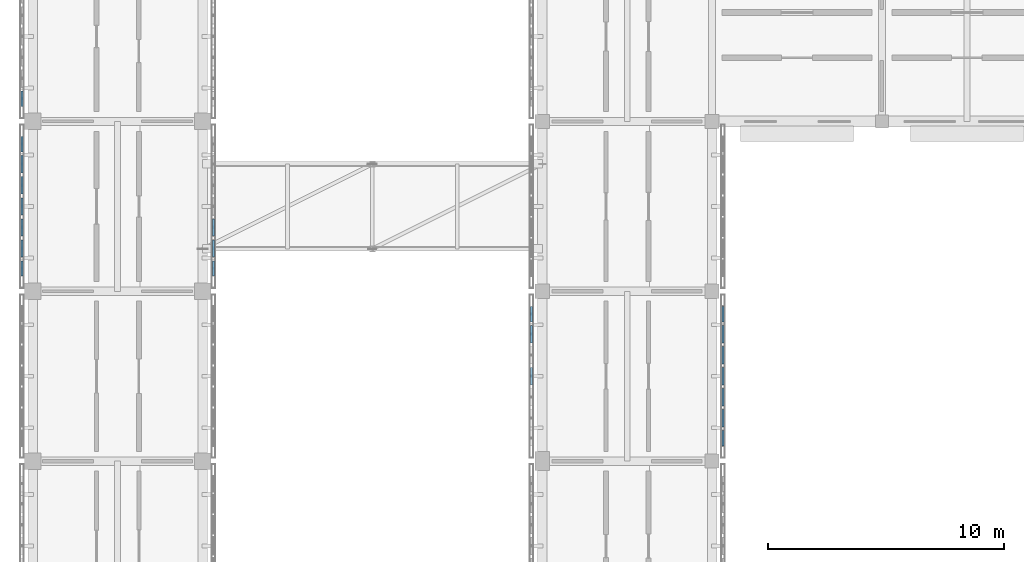
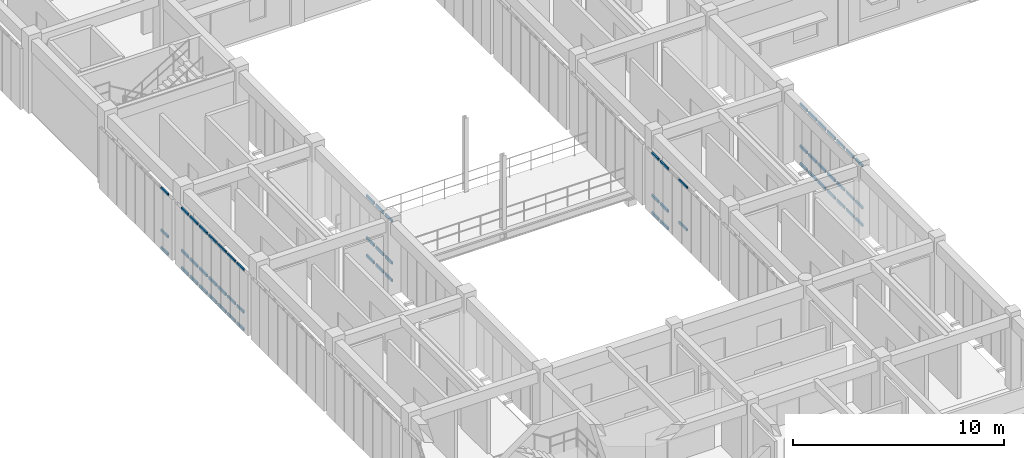
# One storey, part 79 of 171: 62 members, 5 elements without a shape of their own.
"""IFC4 building model written with IfcOpenShell, lengths in metres."""

from ifc_helpers import new_model, si_unit, direction, frame, origin, origin_2d, place, context, subcontext, project, spatial, hollow_rectangle, extrude, material, material_profile, profile_set, type_object, element, aggregate, save


model = new_model("IFC4")

# Units and contexts
model_context = context("Model", 3, precision=1e-05, world=origin(), true_north=direction((0.0, 1.0)))
body_context = subcontext(model_context, "Body", "Model", "MODEL_VIEW")
ifc_project = project(units=[si_unit("LENGTHUNIT", "METRE"), si_unit("AREAUNIT", "SQUARE_METRE"), si_unit("VOLUMEUNIT", "CUBIC_METRE"), si_unit("PLANEANGLEUNIT", "RADIAN"), si_unit("MASSUNIT", "GRAM", prefix="KILO")], contexts=[model_context])

# Site, building, storey
site_placement = place(None, origin())
site = spatial("IfcSite", under=ifc_project, at=site_placement, CompositionType="ELEMENT")
building_placement = place(site_placement, origin())
building = spatial("IfcBuilding", under=site, at=building_placement, Name="Aldebral Square Health Centre", CompositionType="ELEMENT")
storey_placement = place(building_placement, frame((0.0, 0.0, 4.5)))
storey = spatial("IfcBuildingStorey", under=building, at=storey_placement, Name="L01", CompositionType="ELEMENT", Elevation=4.5)

# Curtain wall, members
ifc_material_1 = material(Name="Aluminium and low-E solar glass", Category="aluminium")
curtain_wall_type = type_object("IfcCurtainWallType", Name="CW-FIN-SYS", PredefinedType="USERDEFINED", material=ifc_material_1)
curtain_wall_1_placement = place(storey_placement, origin())
curtain_wall_1 = element("IfcCurtainWall", 1, at=curtain_wall_1_placement, inside=storey, type_object=curtain_wall_type, Name="L01 V4 finned curtain wall L01-V4-00-11-W", ObjectType="SOLAR_CURTAIN_WALL", PredefinedType="USERDEFINED")
ifc_material_2 = material(Name="Anodised aluminium transom", Category="aluminium")
ifc_material_profile = material_profile(ifc_material_2, hollow_rectangle(XDim=0.074951171875, YDim=0.14990234375, WallThickness=0.00390625, at=origin_2d()), Name="CWT 75x150x4")
ifc_profile_set = profile_set([ifc_material_profile], Name="Anodised aluminium transom")
member_type = type_object("IfcMemberType", Name="CWT-STD", PredefinedType="USERDEFINED", material=ifc_profile_set)
member_1_placement = place(storey_placement, frame((-0.4599609375, 85.760009765625, 0.03759765625), z_axis=(0.0, -1.0, 0.0), x_axis=(1.0, 0.0, 0.0)))
member_1 = element("IfcMember", 2, at=member_1_placement, type_object=member_type, Name="CW1 transom 1.1", ObjectType="TRANSOM", PredefinedType="USERDEFINED", context=body_context, shape_type="SweptSolid", body=[
    extrude(hollow_rectangle(XDim=0.074951171875, YDim=0.14990234375, WallThickness=0.00390625, at=origin_2d()), origin(), (0.0, 0.0, 1.0), 0.6513671875),
])
member_2_placement = place(storey_placement, frame((-0.4599609375, 85.760009765625, 1.050048828125), z_axis=(0.0, -1.0, 0.0), x_axis=(1.0, 0.0, 0.0)))
member_2 = element("IfcMember", 3, at=member_2_placement, type_object=member_type, Name="CW1 transom 1.2", ObjectType="TRANSOM", PredefinedType="USERDEFINED", context=body_context, shape_type="SweptSolid", body=[
    extrude(hollow_rectangle(XDim=0.074951171875, YDim=0.14990234375, WallThickness=0.00390625, at=origin_2d()), origin(), (0.0, 0.0, 1.0), 0.6513671875),
])
member_3_placement = place(storey_placement, frame((-0.4599609375, 85.760009765625, 3.482421875), z_axis=(0.0, -1.0, 0.0), x_axis=(1.0, 0.0, 0.0)))
member_3 = element("IfcMember", 4, at=member_3_placement, type_object=member_type, Name="CW1 transom 1.3", ObjectType="TRANSOM", PredefinedType="USERDEFINED", context=body_context, shape_type="SweptSolid", body=[
    extrude(hollow_rectangle(XDim=0.074951171875, YDim=0.14990234375, WallThickness=0.00390625, at=origin_2d()), origin(), (0.0, 0.0, 1.0), 0.6513671875),
])
member_4_placement = place(storey_placement, frame((-0.4599609375, 84.948486328125, 0.03759765625), z_axis=(0.0, -1.0, 0.0), x_axis=(1.0, 0.0, 0.0)))
member_4 = element("IfcMember", 5, at=member_4_placement, type_object=member_type, Name="CW1 transom 2.1", ObjectType="TRANSOM", PredefinedType="USERDEFINED", context=body_context, shape_type="SweptSolid", body=[
    extrude(hollow_rectangle(XDim=0.074951171875, YDim=0.14990234375, WallThickness=0.00390625, at=origin_2d()), origin(), (0.0, 0.0, 1.0), 0.7314453125),
])
member_5_placement = place(storey_placement, frame((-0.4599609375, 84.948486328125, 1.050048828125), z_axis=(0.0, -1.0, 0.0), x_axis=(1.0, 0.0, 0.0)))
member_5 = element("IfcMember", 6, at=member_5_placement, type_object=member_type, Name="CW1 transom 2.2", ObjectType="TRANSOM", PredefinedType="USERDEFINED", context=body_context, shape_type="SweptSolid", body=[
    extrude(hollow_rectangle(XDim=0.074951171875, YDim=0.14990234375, WallThickness=0.00390625, at=origin_2d()), origin(), (0.0, 0.0, 1.0), 0.7314453125),
])
member_6_placement = place(storey_placement, frame((-0.4599609375, 84.948486328125, 3.482421875), z_axis=(0.0, -1.0, 0.0), x_axis=(1.0, 0.0, 0.0)))
member_6 = element("IfcMember", 7, at=member_6_placement, type_object=member_type, Name="CW1 transom 2.3", ObjectType="TRANSOM", PredefinedType="USERDEFINED", context=body_context, shape_type="SweptSolid", body=[
    extrude(hollow_rectangle(XDim=0.074951171875, YDim=0.14990234375, WallThickness=0.00390625, at=origin_2d()), origin(), (0.0, 0.0, 1.0), 0.7314453125),
])
member_7_placement = place(storey_placement, frame((-0.4599609375, 84.05712890625, 0.03759765625), z_axis=(0.0, -1.0, 0.0), x_axis=(1.0, 0.0, 0.0)))
member_7 = element("IfcMember", 8, at=member_7_placement, type_object=member_type, Name="CW1 transom 3.1", ObjectType="TRANSOM", PredefinedType="USERDEFINED", context=body_context, shape_type="SweptSolid", body=[
    extrude(hollow_rectangle(XDim=0.074951171875, YDim=0.14990234375, WallThickness=0.00390625, at=origin_2d()), origin(), (0.0, 0.0, 1.0), 0.7314453125),
])
member_8_placement = place(storey_placement, frame((-0.4599609375, 84.05712890625, 1.050048828125), z_axis=(0.0, -1.0, 0.0), x_axis=(1.0, 0.0, 0.0)))
member_8 = element("IfcMember", 9, at=member_8_placement, type_object=member_type, Name="CW1 transom 3.2", ObjectType="TRANSOM", PredefinedType="USERDEFINED", context=body_context, shape_type="SweptSolid", body=[
    extrude(hollow_rectangle(XDim=0.074951171875, YDim=0.14990234375, WallThickness=0.00390625, at=origin_2d()), origin(), (0.0, 0.0, 1.0), 0.7314453125),
])
member_9_placement = place(storey_placement, frame((-0.4599609375, 84.05712890625, 3.482421875), z_axis=(0.0, -1.0, 0.0), x_axis=(1.0, 0.0, 0.0)))
member_9 = element("IfcMember", 10, at=member_9_placement, type_object=member_type, Name="CW1 transom 3.3", ObjectType="TRANSOM", PredefinedType="USERDEFINED", context=body_context, shape_type="SweptSolid", body=[
    extrude(hollow_rectangle(XDim=0.074951171875, YDim=0.14990234375, WallThickness=0.00390625, at=origin_2d()), origin(), (0.0, 0.0, 1.0), 0.7314453125),
])
member_10_placement = place(storey_placement, frame((-0.4599609375, 83.165771484375, 0.03759765625), z_axis=(0.0, -1.0, 0.0), x_axis=(1.0, 0.0, 0.0)))
member_10 = element("IfcMember", 11, at=member_10_placement, type_object=member_type, Name="CW1 transom 4.1", ObjectType="TRANSOM", PredefinedType="USERDEFINED", context=body_context, shape_type="SweptSolid", body=[
    extrude(hollow_rectangle(XDim=0.074951171875, YDim=0.14990234375, WallThickness=0.00390625, at=origin_2d()), origin(), (0.0, 0.0, 1.0), 0.7314453125),
])
member_11_placement = place(storey_placement, frame((-0.4599609375, 83.165771484375, 1.050048828125), z_axis=(0.0, -1.0, 0.0), x_axis=(1.0, 0.0, 0.0)))
member_11 = element("IfcMember", 12, at=member_11_placement, type_object=member_type, Name="CW1 transom 4.2", ObjectType="TRANSOM", PredefinedType="USERDEFINED", context=body_context, shape_type="SweptSolid", body=[
    extrude(hollow_rectangle(XDim=0.074951171875, YDim=0.14990234375, WallThickness=0.00390625, at=origin_2d()), origin(), (0.0, 0.0, 1.0), 0.7314453125),
])
member_12_placement = place(storey_placement, frame((-0.4599609375, 83.165771484375, 3.482421875), z_axis=(0.0, -1.0, 0.0), x_axis=(1.0, 0.0, 0.0)))
member_12 = element("IfcMember", 13, at=member_12_placement, type_object=member_type, Name="CW1 transom 4.3", ObjectType="TRANSOM", PredefinedType="USERDEFINED", context=body_context, shape_type="SweptSolid", body=[
    extrude(hollow_rectangle(XDim=0.074951171875, YDim=0.14990234375, WallThickness=0.00390625, at=origin_2d()), origin(), (0.0, 0.0, 1.0), 0.7314453125),
])
member_13_placement = place(storey_placement, frame((-0.4599609375, 82.274169921875, 0.03759765625), z_axis=(0.0, -1.0, 0.0), x_axis=(1.0, 0.0, 0.0)))
member_13 = element("IfcMember", 14, at=member_13_placement, type_object=member_type, Name="CW1 transom 5.1", ObjectType="TRANSOM", PredefinedType="USERDEFINED", context=body_context, shape_type="SweptSolid", body=[
    extrude(hollow_rectangle(XDim=0.074951171875, YDim=0.14990234375, WallThickness=0.00390625, at=origin_2d()), origin(), (0.0, 0.0, 1.0), 0.731201171875),
])
member_14_placement = place(storey_placement, frame((-0.4599609375, 82.274169921875, 1.050048828125), z_axis=(0.0, -1.0, 0.0), x_axis=(1.0, 0.0, 0.0)))
member_14 = element("IfcMember", 15, at=member_14_placement, type_object=member_type, Name="CW1 transom 5.2", ObjectType="TRANSOM", PredefinedType="USERDEFINED", context=body_context, shape_type="SweptSolid", body=[
    extrude(hollow_rectangle(XDim=0.074951171875, YDim=0.14990234375, WallThickness=0.00390625, at=origin_2d()), origin(), (0.0, 0.0, 1.0), 0.731201171875),
])
member_15_placement = place(storey_placement, frame((-0.4599609375, 82.274169921875, 3.482421875), z_axis=(0.0, -1.0, 0.0), x_axis=(1.0, 0.0, 0.0)))
member_15 = element("IfcMember", 16, at=member_15_placement, type_object=member_type, Name="CW1 transom 5.3", ObjectType="TRANSOM", PredefinedType="USERDEFINED", context=body_context, shape_type="SweptSolid", body=[
    extrude(hollow_rectangle(XDim=0.074951171875, YDim=0.14990234375, WallThickness=0.00390625, at=origin_2d()), origin(), (0.0, 0.0, 1.0), 0.731201171875),
])
member_16_placement = place(storey_placement, frame((-0.4599609375, 81.3828125, 0.03759765625), z_axis=(0.0, -1.0, 0.0), x_axis=(1.0, 0.0, 0.0)))
member_16 = element("IfcMember", 17, at=member_16_placement, type_object=member_type, Name="CW1 transom 6.1", ObjectType="TRANSOM", PredefinedType="USERDEFINED", context=body_context, shape_type="SweptSolid", body=[
    extrude(hollow_rectangle(XDim=0.074951171875, YDim=0.14990234375, WallThickness=0.00390625, at=origin_2d()), origin(), (0.0, 0.0, 1.0), 0.7314453125),
])
member_17_placement = place(storey_placement, frame((-0.4599609375, 81.3828125, 1.050048828125), z_axis=(0.0, -1.0, 0.0), x_axis=(1.0, 0.0, 0.0)))
member_17 = element("IfcMember", 18, at=member_17_placement, type_object=member_type, Name="CW1 transom 6.2", ObjectType="TRANSOM", PredefinedType="USERDEFINED", context=body_context, shape_type="SweptSolid", body=[
    extrude(hollow_rectangle(XDim=0.074951171875, YDim=0.14990234375, WallThickness=0.00390625, at=origin_2d()), origin(), (0.0, 0.0, 1.0), 0.7314453125),
])
member_18_placement = place(storey_placement, frame((-0.4599609375, 81.3828125, 3.482421875), z_axis=(0.0, -1.0, 0.0), x_axis=(1.0, 0.0, 0.0)))
member_18 = element("IfcMember", 19, at=member_18_placement, type_object=member_type, Name="CW1 transom 6.3", ObjectType="TRANSOM", PredefinedType="USERDEFINED", context=body_context, shape_type="SweptSolid", body=[
    extrude(hollow_rectangle(XDim=0.074951171875, YDim=0.14990234375, WallThickness=0.00390625, at=origin_2d()), origin(), (0.0, 0.0, 1.0), 0.7314453125),
])
member_19_placement = place(storey_placement, frame((-0.4599609375, 80.491455078125, 0.03759765625), z_axis=(0.0, -1.0, 0.0), x_axis=(1.0, 0.0, 0.0)))
member_19 = element("IfcMember", 20, at=member_19_placement, type_object=member_type, Name="CW1 transom 7.1", ObjectType="TRANSOM", PredefinedType="USERDEFINED", context=body_context, shape_type="SweptSolid", body=[
    extrude(hollow_rectangle(XDim=0.074951171875, YDim=0.14990234375, WallThickness=0.00390625, at=origin_2d()), origin(), (0.0, 0.0, 1.0), 0.6513671875),
])
member_20_placement = place(storey_placement, frame((-0.4599609375, 80.491455078125, 1.050048828125), z_axis=(0.0, -1.0, 0.0), x_axis=(1.0, 0.0, 0.0)))
member_20 = element("IfcMember", 21, at=member_20_placement, type_object=member_type, Name="CW1 transom 7.2", ObjectType="TRANSOM", PredefinedType="USERDEFINED", context=body_context, shape_type="SweptSolid", body=[
    extrude(hollow_rectangle(XDim=0.074951171875, YDim=0.14990234375, WallThickness=0.00390625, at=origin_2d()), origin(), (0.0, 0.0, 1.0), 0.6513671875),
])
member_21_placement = place(storey_placement, frame((-0.4599609375, 80.491455078125, 3.482421875), z_axis=(0.0, -1.0, 0.0), x_axis=(1.0, 0.0, 0.0)))
member_21 = element("IfcMember", 22, at=member_21_placement, type_object=member_type, Name="CW1 transom 7.3", ObjectType="TRANSOM", PredefinedType="USERDEFINED", context=body_context, shape_type="SweptSolid", body=[
    extrude(hollow_rectangle(XDim=0.074951171875, YDim=0.14990234375, WallThickness=0.00390625, at=origin_2d()), origin(), (0.0, 0.0, 1.0), 0.6513671875),
])
aggregate(curtain_wall_1, [member_1, member_2, member_3, member_4, member_5, member_6, member_7, member_8, member_9, member_10, member_11, member_12, member_13, member_14, member_15, member_16, member_17, member_18, member_19, member_20, member_21])

curtain_wall_2_placement = place(storey_placement, origin())
curtain_wall_2 = element("IfcCurtainWall", 23, at=curtain_wall_2_placement, inside=storey, type_object=curtain_wall_type, Name="L01 V4 finned curtain wall L01-V4-00-11-E", ObjectType="SOLAR_CURTAIN_WALL", PredefinedType="USERDEFINED")
member_22_placement = place(storey_placement, frame((7.659912109375, 79.840087890625, 0.03759765625), z_axis=(0.0, 1.0, 0.0), x_axis=(-1.0, 0.0, 0.0)))
member_22 = element("IfcMember", 24, at=member_22_placement, type_object=member_type, Name="CW1 transom 1.1", ObjectType="TRANSOM", PredefinedType="USERDEFINED", context=body_context, shape_type="SweptSolid", body=[
    extrude(hollow_rectangle(XDim=0.074951171875, YDim=0.14990234375, WallThickness=0.00390625, at=origin_2d()), origin(), (0.0, 0.0, 1.0), 0.6513671875),
])
member_23_placement = place(storey_placement, frame((7.659912109375, 79.840087890625, 1.050048828125), z_axis=(0.0, 1.0, 0.0), x_axis=(-1.0, 0.0, 0.0)))
member_23 = element("IfcMember", 25, at=member_23_placement, type_object=member_type, Name="CW1 transom 1.2", ObjectType="TRANSOM", PredefinedType="USERDEFINED", context=body_context, shape_type="SweptSolid", body=[
    extrude(hollow_rectangle(XDim=0.074951171875, YDim=0.14990234375, WallThickness=0.00390625, at=origin_2d()), origin(), (0.0, 0.0, 1.0), 0.6513671875),
])
member_24_placement = place(storey_placement, frame((7.659912109375, 79.840087890625, 3.482421875), z_axis=(0.0, 1.0, 0.0), x_axis=(-1.0, 0.0, 0.0)))
member_24 = element("IfcMember", 26, at=member_24_placement, type_object=member_type, Name="CW1 transom 1.3", ObjectType="TRANSOM", PredefinedType="USERDEFINED", context=body_context, shape_type="SweptSolid", body=[
    extrude(hollow_rectangle(XDim=0.074951171875, YDim=0.14990234375, WallThickness=0.00390625, at=origin_2d()), origin(), (0.0, 0.0, 1.0), 0.6513671875),
])
member_25_placement = place(storey_placement, frame((7.659912109375, 80.6513671875, 0.03759765625), z_axis=(0.0, 1.0, 0.0), x_axis=(-1.0, 0.0, 0.0)))
member_25 = element("IfcMember", 27, at=member_25_placement, type_object=member_type, Name="CW1 transom 2.1", ObjectType="TRANSOM", PredefinedType="USERDEFINED", context=body_context, shape_type="SweptSolid", body=[
    extrude(hollow_rectangle(XDim=0.074951171875, YDim=0.14990234375, WallThickness=0.00390625, at=origin_2d()), origin(), (0.0, 0.0, 1.0), 0.7314453125),
])
member_26_placement = place(storey_placement, frame((7.659912109375, 80.6513671875, 1.050048828125), z_axis=(0.0, 1.0, 0.0), x_axis=(-1.0, 0.0, 0.0)))
member_26 = element("IfcMember", 28, at=member_26_placement, type_object=member_type, Name="CW1 transom 2.2", ObjectType="TRANSOM", PredefinedType="USERDEFINED", context=body_context, shape_type="SweptSolid", body=[
    extrude(hollow_rectangle(XDim=0.074951171875, YDim=0.14990234375, WallThickness=0.00390625, at=origin_2d()), origin(), (0.0, 0.0, 1.0), 0.7314453125),
])
member_27_placement = place(storey_placement, frame((7.659912109375, 80.6513671875, 3.482421875), z_axis=(0.0, 1.0, 0.0), x_axis=(-1.0, 0.0, 0.0)))
member_27 = element("IfcMember", 29, at=member_27_placement, type_object=member_type, Name="CW1 transom 2.3", ObjectType="TRANSOM", PredefinedType="USERDEFINED", context=body_context, shape_type="SweptSolid", body=[
    extrude(hollow_rectangle(XDim=0.074951171875, YDim=0.14990234375, WallThickness=0.00390625, at=origin_2d()), origin(), (0.0, 0.0, 1.0), 0.7314453125),
])
member_28_placement = place(storey_placement, frame((7.659912109375, 81.54296875, 0.03759765625), z_axis=(0.0, 1.0, 0.0), x_axis=(-1.0, 0.0, 0.0)))
member_28 = element("IfcMember", 30, at=member_28_placement, type_object=member_type, Name="CW1 transom 3.1", ObjectType="TRANSOM", PredefinedType="USERDEFINED", context=body_context, shape_type="SweptSolid", body=[
    extrude(hollow_rectangle(XDim=0.074951171875, YDim=0.14990234375, WallThickness=0.00390625, at=origin_2d()), origin(), (0.0, 0.0, 1.0), 0.731201171875),
])
member_29_placement = place(storey_placement, frame((7.659912109375, 81.54296875, 1.050048828125), z_axis=(0.0, 1.0, 0.0), x_axis=(-1.0, 0.0, 0.0)))
member_29 = element("IfcMember", 31, at=member_29_placement, type_object=member_type, Name="CW1 transom 3.2", ObjectType="TRANSOM", PredefinedType="USERDEFINED", context=body_context, shape_type="SweptSolid", body=[
    extrude(hollow_rectangle(XDim=0.074951171875, YDim=0.14990234375, WallThickness=0.00390625, at=origin_2d()), origin(), (0.0, 0.0, 1.0), 0.731201171875),
])
member_30_placement = place(storey_placement, frame((7.659912109375, 81.54296875, 3.482421875), z_axis=(0.0, 1.0, 0.0), x_axis=(-1.0, 0.0, 0.0)))
member_30 = element("IfcMember", 32, at=member_30_placement, type_object=member_type, Name="CW1 transom 3.3", ObjectType="TRANSOM", PredefinedType="USERDEFINED", context=body_context, shape_type="SweptSolid", body=[
    extrude(hollow_rectangle(XDim=0.074951171875, YDim=0.14990234375, WallThickness=0.00390625, at=origin_2d()), origin(), (0.0, 0.0, 1.0), 0.731201171875),
])
aggregate(curtain_wall_2, [member_22, member_23, member_24, member_25, member_26, member_27, member_28, member_29, member_30])

curtain_wall_3_placement = place(storey_placement, origin())
curtain_wall_3 = element("IfcCurtainWall", 33, at=curtain_wall_3_placement, inside=storey, type_object=curtain_wall_type, Name="L01 V4 finned curtain wall L01-V4-00-12-W", ObjectType="SOLAR_CURTAIN_WALL", PredefinedType="USERDEFINED")
member_31_placement = place(storey_placement, frame((-0.4599609375, 87.69140625, 0.03759765625), z_axis=(0.0, -1.0, 0.0), x_axis=(1.0, 0.0, 0.0)))
member_31 = element("IfcMember", 34, at=member_31_placement, type_object=member_type, Name="CW1 transom 7.1", ObjectType="TRANSOM", PredefinedType="USERDEFINED", context=body_context, shape_type="SweptSolid", body=[
    extrude(hollow_rectangle(XDim=0.074951171875, YDim=0.14990234375, WallThickness=0.00390625, at=origin_2d()), origin(), (0.0, 0.0, 1.0), 0.6513671875),
])
member_32_placement = place(storey_placement, frame((-0.4599609375, 87.69140625, 1.050048828125), z_axis=(0.0, -1.0, 0.0), x_axis=(1.0, 0.0, 0.0)))
member_32 = element("IfcMember", 35, at=member_32_placement, type_object=member_type, Name="CW1 transom 7.2", ObjectType="TRANSOM", PredefinedType="USERDEFINED", context=body_context, shape_type="SweptSolid", body=[
    extrude(hollow_rectangle(XDim=0.074951171875, YDim=0.14990234375, WallThickness=0.00390625, at=origin_2d()), origin(), (0.0, 0.0, 1.0), 0.6513671875),
])
member_33_placement = place(storey_placement, frame((-0.4599609375, 87.69140625, 3.482421875), z_axis=(0.0, -1.0, 0.0), x_axis=(1.0, 0.0, 0.0)))
member_33 = element("IfcMember", 36, at=member_33_placement, type_object=member_type, Name="CW1 transom 7.3", ObjectType="TRANSOM", PredefinedType="USERDEFINED", context=body_context, shape_type="SweptSolid", body=[
    extrude(hollow_rectangle(XDim=0.074951171875, YDim=0.14990234375, WallThickness=0.00390625, at=origin_2d()), origin(), (0.0, 0.0, 1.0), 0.6513671875),
])
aggregate(curtain_wall_3, [member_31, member_32, member_33])

curtain_wall_4_placement = place(storey_placement, origin())
curtain_wall_4 = element("IfcCurtainWall", 37, at=curtain_wall_4_placement, inside=storey, type_object=curtain_wall_type, Name="L01 V4 finned curtain wall L01-V4-03-10-W", ObjectType="SOLAR_CURTAIN_WALL", PredefinedType="USERDEFINED")
member_34_placement = place(storey_placement, frame((21.139892578125, 78.56005859375, 0.03759765625), z_axis=(0.0, -1.0, 0.0), x_axis=(1.0, 0.0, 0.0)))
member_34 = element("IfcMember", 38, at=member_34_placement, type_object=member_type, Name="CW1 transom 1.1", ObjectType="TRANSOM", PredefinedType="USERDEFINED", context=body_context, shape_type="SweptSolid", body=[
    extrude(hollow_rectangle(XDim=0.074951171875, YDim=0.14990234375, WallThickness=0.00390625, at=origin_2d()), origin(), (0.0, 0.0, 1.0), 0.6513671875),
])
member_35_placement = place(storey_placement, frame((21.139892578125, 78.56005859375, 1.050048828125), z_axis=(0.0, -1.0, 0.0), x_axis=(1.0, 0.0, 0.0)))
member_35 = element("IfcMember", 39, at=member_35_placement, type_object=member_type, Name="CW1 transom 1.2", ObjectType="TRANSOM", PredefinedType="USERDEFINED", context=body_context, shape_type="SweptSolid", body=[
    extrude(hollow_rectangle(XDim=0.074951171875, YDim=0.14990234375, WallThickness=0.00390625, at=origin_2d()), origin(), (0.0, 0.0, 1.0), 0.6513671875),
])
member_36_placement = place(storey_placement, frame((21.139892578125, 78.56005859375, 3.482421875), z_axis=(0.0, -1.0, 0.0), x_axis=(1.0, 0.0, 0.0)))
member_36 = element("IfcMember", 40, at=member_36_placement, type_object=member_type, Name="CW1 transom 1.3", ObjectType="TRANSOM", PredefinedType="USERDEFINED", context=body_context, shape_type="SweptSolid", body=[
    extrude(hollow_rectangle(XDim=0.074951171875, YDim=0.14990234375, WallThickness=0.00390625, at=origin_2d()), origin(), (0.0, 0.0, 1.0), 0.6513671875),
])
member_37_placement = place(storey_placement, frame((21.139892578125, 77.74853515625, 0.03759765625), z_axis=(0.0, -1.0, 0.0), x_axis=(1.0, 0.0, 0.0)))
member_37 = element("IfcMember", 41, at=member_37_placement, type_object=member_type, Name="CW1 transom 2.1", ObjectType="TRANSOM", PredefinedType="USERDEFINED", context=body_context, shape_type="SweptSolid", body=[
    extrude(hollow_rectangle(XDim=0.074951171875, YDim=0.14990234375, WallThickness=0.00390625, at=origin_2d()), origin(), (0.0, 0.0, 1.0), 0.7314453125),
])
member_38_placement = place(storey_placement, frame((21.139892578125, 77.74853515625, 1.050048828125), z_axis=(0.0, -1.0, 0.0), x_axis=(1.0, 0.0, 0.0)))
member_38 = element("IfcMember", 42, at=member_38_placement, type_object=member_type, Name="CW1 transom 2.2", ObjectType="TRANSOM", PredefinedType="USERDEFINED", context=body_context, shape_type="SweptSolid", body=[
    extrude(hollow_rectangle(XDim=0.074951171875, YDim=0.14990234375, WallThickness=0.00390625, at=origin_2d()), origin(), (0.0, 0.0, 1.0), 0.7314453125),
])
member_39_placement = place(storey_placement, frame((21.139892578125, 77.74853515625, 3.482421875), z_axis=(0.0, -1.0, 0.0), x_axis=(1.0, 0.0, 0.0)))
member_39 = element("IfcMember", 43, at=member_39_placement, type_object=member_type, Name="CW1 transom 2.3", ObjectType="TRANSOM", PredefinedType="USERDEFINED", context=body_context, shape_type="SweptSolid", body=[
    extrude(hollow_rectangle(XDim=0.074951171875, YDim=0.14990234375, WallThickness=0.00390625, at=origin_2d()), origin(), (0.0, 0.0, 1.0), 0.7314453125),
])
member_40_placement = place(storey_placement, frame((21.139892578125, 75.9658203125, 1.050048828125), z_axis=(0.0, -1.0, 0.0), x_axis=(1.0, 0.0, 0.0)))
member_40 = element("IfcMember", 44, at=member_40_placement, type_object=member_type, Name="CW1 transom 4.2", ObjectType="TRANSOM", PredefinedType="USERDEFINED", context=body_context, shape_type="SweptSolid", body=[
    extrude(hollow_rectangle(XDim=0.074951171875, YDim=0.14990234375, WallThickness=0.00390625, at=origin_2d()), origin(), (0.0, 0.0, 1.0), 0.7314453125),
])
member_41_placement = place(storey_placement, frame((21.139892578125, 75.9658203125, 3.482421875), z_axis=(0.0, -1.0, 0.0), x_axis=(1.0, 0.0, 0.0)))
member_41 = element("IfcMember", 45, at=member_41_placement, type_object=member_type, Name="CW1 transom 4.3", ObjectType="TRANSOM", PredefinedType="USERDEFINED", context=body_context, shape_type="SweptSolid", body=[
    extrude(hollow_rectangle(XDim=0.074951171875, YDim=0.14990234375, WallThickness=0.00390625, at=origin_2d()), origin(), (0.0, 0.0, 1.0), 0.7314453125),
])
aggregate(curtain_wall_4, [member_34, member_35, member_36, member_37, member_38, member_39, member_40, member_41])

curtain_wall_5_placement = place(storey_placement, origin())
curtain_wall_5 = element("IfcCurtainWall", 46, at=curtain_wall_5_placement, inside=storey, type_object=curtain_wall_type, Name="L01 V4 finned curtain wall L01-V4-03-10-E", ObjectType="SOLAR_CURTAIN_WALL", PredefinedType="USERDEFINED")
member_42_placement = place(storey_placement, frame((29.260009765625, 72.639892578125, 0.03759765625), z_axis=(0.0, 1.0, 0.0), x_axis=(-1.0, 0.0, 0.0)))
member_42 = element("IfcMember", 47, at=member_42_placement, type_object=member_type, Name="CW1 transom 1.1", ObjectType="TRANSOM", PredefinedType="USERDEFINED", context=body_context, shape_type="SweptSolid", body=[
    extrude(hollow_rectangle(XDim=0.074951171875, YDim=0.14990234375, WallThickness=0.00390625, at=origin_2d()), origin(), (0.0, 0.0, 1.0), 0.651611328125),
])
member_43_placement = place(storey_placement, frame((29.260009765625, 72.639892578125, 1.050048828125), z_axis=(0.0, 1.0, 0.0), x_axis=(-1.0, 0.0, 0.0)))
member_43 = element("IfcMember", 48, at=member_43_placement, type_object=member_type, Name="CW1 transom 1.2", ObjectType="TRANSOM", PredefinedType="USERDEFINED", context=body_context, shape_type="SweptSolid", body=[
    extrude(hollow_rectangle(XDim=0.074951171875, YDim=0.14990234375, WallThickness=0.00390625, at=origin_2d()), origin(), (0.0, 0.0, 1.0), 0.651611328125),
])
member_44_placement = place(storey_placement, frame((29.260009765625, 72.639892578125, 3.482421875), z_axis=(0.0, 1.0, 0.0), x_axis=(-1.0, 0.0, 0.0)))
member_44 = element("IfcMember", 49, at=member_44_placement, type_object=member_type, Name="CW1 transom 1.3", ObjectType="TRANSOM", PredefinedType="USERDEFINED", context=body_context, shape_type="SweptSolid", body=[
    extrude(hollow_rectangle(XDim=0.074951171875, YDim=0.14990234375, WallThickness=0.00390625, at=origin_2d()), origin(), (0.0, 0.0, 1.0), 0.651611328125),
])
member_45_placement = place(storey_placement, frame((29.260009765625, 73.451416015625, 0.03759765625), z_axis=(0.0, 1.0, 0.0), x_axis=(-1.0, 0.0, 0.0)))
member_45 = element("IfcMember", 50, at=member_45_placement, type_object=member_type, Name="CW1 transom 2.1", ObjectType="TRANSOM", PredefinedType="USERDEFINED", context=body_context, shape_type="SweptSolid", body=[
    extrude(hollow_rectangle(XDim=0.074951171875, YDim=0.14990234375, WallThickness=0.00390625, at=origin_2d()), origin(), (0.0, 0.0, 1.0), 0.7314453125),
])
member_46_placement = place(storey_placement, frame((29.260009765625, 73.451416015625, 1.050048828125), z_axis=(0.0, 1.0, 0.0), x_axis=(-1.0, 0.0, 0.0)))
member_46 = element("IfcMember", 51, at=member_46_placement, type_object=member_type, Name="CW1 transom 2.2", ObjectType="TRANSOM", PredefinedType="USERDEFINED", context=body_context, shape_type="SweptSolid", body=[
    extrude(hollow_rectangle(XDim=0.074951171875, YDim=0.14990234375, WallThickness=0.00390625, at=origin_2d()), origin(), (0.0, 0.0, 1.0), 0.7314453125),
])
member_47_placement = place(storey_placement, frame((29.260009765625, 73.451416015625, 3.482421875), z_axis=(0.0, 1.0, 0.0), x_axis=(-1.0, 0.0, 0.0)))
member_47 = element("IfcMember", 52, at=member_47_placement, type_object=member_type, Name="CW1 transom 2.3", ObjectType="TRANSOM", PredefinedType="USERDEFINED", context=body_context, shape_type="SweptSolid", body=[
    extrude(hollow_rectangle(XDim=0.074951171875, YDim=0.14990234375, WallThickness=0.00390625, at=origin_2d()), origin(), (0.0, 0.0, 1.0), 0.7314453125),
])
member_48_placement = place(storey_placement, frame((29.260009765625, 74.3427734375, 0.03759765625), z_axis=(0.0, 1.0, 0.0), x_axis=(-1.0, 0.0, 0.0)))
member_48 = element("IfcMember", 53, at=member_48_placement, type_object=member_type, Name="CW1 transom 3.1", ObjectType="TRANSOM", PredefinedType="USERDEFINED", context=body_context, shape_type="SweptSolid", body=[
    extrude(hollow_rectangle(XDim=0.074951171875, YDim=0.14990234375, WallThickness=0.00390625, at=origin_2d()), origin(), (0.0, 0.0, 1.0), 0.7314453125),
])
member_49_placement = place(storey_placement, frame((29.260009765625, 74.3427734375, 1.050048828125), z_axis=(0.0, 1.0, 0.0), x_axis=(-1.0, 0.0, 0.0)))
member_49 = element("IfcMember", 54, at=member_49_placement, type_object=member_type, Name="CW1 transom 3.2", ObjectType="TRANSOM", PredefinedType="USERDEFINED", context=body_context, shape_type="SweptSolid", body=[
    extrude(hollow_rectangle(XDim=0.074951171875, YDim=0.14990234375, WallThickness=0.00390625, at=origin_2d()), origin(), (0.0, 0.0, 1.0), 0.7314453125),
])
member_50_placement = place(storey_placement, frame((29.260009765625, 74.3427734375, 3.482421875), z_axis=(0.0, 1.0, 0.0), x_axis=(-1.0, 0.0, 0.0)))
member_50 = element("IfcMember", 55, at=member_50_placement, type_object=member_type, Name="CW1 transom 3.3", ObjectType="TRANSOM", PredefinedType="USERDEFINED", context=body_context, shape_type="SweptSolid", body=[
    extrude(hollow_rectangle(XDim=0.074951171875, YDim=0.14990234375, WallThickness=0.00390625, at=origin_2d()), origin(), (0.0, 0.0, 1.0), 0.7314453125),
])
member_51_placement = place(storey_placement, frame((29.260009765625, 75.234375, 0.03759765625), z_axis=(0.0, 1.0, 0.0), x_axis=(-1.0, 0.0, 0.0)))
member_51 = element("IfcMember", 56, at=member_51_placement, type_object=member_type, Name="CW1 transom 4.1", ObjectType="TRANSOM", PredefinedType="USERDEFINED", context=body_context, shape_type="SweptSolid", body=[
    extrude(hollow_rectangle(XDim=0.074951171875, YDim=0.14990234375, WallThickness=0.00390625, at=origin_2d()), origin(), (0.0, 0.0, 1.0), 0.7314453125),
])
member_52_placement = place(storey_placement, frame((29.260009765625, 75.234375, 1.050048828125), z_axis=(0.0, 1.0, 0.0), x_axis=(-1.0, 0.0, 0.0)))
member_52 = element("IfcMember", 57, at=member_52_placement, type_object=member_type, Name="CW1 transom 4.2", ObjectType="TRANSOM", PredefinedType="USERDEFINED", context=body_context, shape_type="SweptSolid", body=[
    extrude(hollow_rectangle(XDim=0.074951171875, YDim=0.14990234375, WallThickness=0.00390625, at=origin_2d()), origin(), (0.0, 0.0, 1.0), 0.7314453125),
])
member_53_placement = place(storey_placement, frame((29.260009765625, 75.234375, 3.482421875), z_axis=(0.0, 1.0, 0.0), x_axis=(-1.0, 0.0, 0.0)))
member_53 = element("IfcMember", 58, at=member_53_placement, type_object=member_type, Name="CW1 transom 4.3", ObjectType="TRANSOM", PredefinedType="USERDEFINED", context=body_context, shape_type="SweptSolid", body=[
    extrude(hollow_rectangle(XDim=0.074951171875, YDim=0.14990234375, WallThickness=0.00390625, at=origin_2d()), origin(), (0.0, 0.0, 1.0), 0.7314453125),
])
member_54_placement = place(storey_placement, frame((29.260009765625, 76.125732421875, 0.03759765625), z_axis=(0.0, 1.0, 0.0), x_axis=(-1.0, 0.0, 0.0)))
member_54 = element("IfcMember", 59, at=member_54_placement, type_object=member_type, Name="CW1 transom 5.1", ObjectType="TRANSOM", PredefinedType="USERDEFINED", context=body_context, shape_type="SweptSolid", body=[
    extrude(hollow_rectangle(XDim=0.074951171875, YDim=0.14990234375, WallThickness=0.00390625, at=origin_2d()), origin(), (0.0, 0.0, 1.0), 0.7314453125),
])
member_55_placement = place(storey_placement, frame((29.260009765625, 76.125732421875, 1.050048828125), z_axis=(0.0, 1.0, 0.0), x_axis=(-1.0, 0.0, 0.0)))
member_55 = element("IfcMember", 60, at=member_55_placement, type_object=member_type, Name="CW1 transom 5.2", ObjectType="TRANSOM", PredefinedType="USERDEFINED", context=body_context, shape_type="SweptSolid", body=[
    extrude(hollow_rectangle(XDim=0.074951171875, YDim=0.14990234375, WallThickness=0.00390625, at=origin_2d()), origin(), (0.0, 0.0, 1.0), 0.7314453125),
])
member_56_placement = place(storey_placement, frame((29.260009765625, 76.125732421875, 3.482421875), z_axis=(0.0, 1.0, 0.0), x_axis=(-1.0, 0.0, 0.0)))
member_56 = element("IfcMember", 61, at=member_56_placement, type_object=member_type, Name="CW1 transom 5.3", ObjectType="TRANSOM", PredefinedType="USERDEFINED", context=body_context, shape_type="SweptSolid", body=[
    extrude(hollow_rectangle(XDim=0.074951171875, YDim=0.14990234375, WallThickness=0.00390625, at=origin_2d()), origin(), (0.0, 0.0, 1.0), 0.7314453125),
])
member_57_placement = place(storey_placement, frame((29.260009765625, 77.01708984375, 0.03759765625), z_axis=(0.0, 1.0, 0.0), x_axis=(-1.0, 0.0, 0.0)))
member_57 = element("IfcMember", 62, at=member_57_placement, type_object=member_type, Name="CW1 transom 6.1", ObjectType="TRANSOM", PredefinedType="USERDEFINED", context=body_context, shape_type="SweptSolid", body=[
    extrude(hollow_rectangle(XDim=0.074951171875, YDim=0.14990234375, WallThickness=0.00390625, at=origin_2d()), origin(), (0.0, 0.0, 1.0), 0.7314453125),
])
member_58_placement = place(storey_placement, frame((29.260009765625, 77.01708984375, 1.050048828125), z_axis=(0.0, 1.0, 0.0), x_axis=(-1.0, 0.0, 0.0)))
member_58 = element("IfcMember", 63, at=member_58_placement, type_object=member_type, Name="CW1 transom 6.2", ObjectType="TRANSOM", PredefinedType="USERDEFINED", context=body_context, shape_type="SweptSolid", body=[
    extrude(hollow_rectangle(XDim=0.074951171875, YDim=0.14990234375, WallThickness=0.00390625, at=origin_2d()), origin(), (0.0, 0.0, 1.0), 0.7314453125),
])
member_59_placement = place(storey_placement, frame((29.260009765625, 77.01708984375, 3.482421875), z_axis=(0.0, 1.0, 0.0), x_axis=(-1.0, 0.0, 0.0)))
member_59 = element("IfcMember", 64, at=member_59_placement, type_object=member_type, Name="CW1 transom 6.3", ObjectType="TRANSOM", PredefinedType="USERDEFINED", context=body_context, shape_type="SweptSolid", body=[
    extrude(hollow_rectangle(XDim=0.074951171875, YDim=0.14990234375, WallThickness=0.00390625, at=origin_2d()), origin(), (0.0, 0.0, 1.0), 0.7314453125),
])
member_60_placement = place(storey_placement, frame((29.260009765625, 77.90869140625, 0.03759765625), z_axis=(0.0, 1.0, 0.0), x_axis=(-1.0, 0.0, 0.0)))
member_60 = element("IfcMember", 65, at=member_60_placement, type_object=member_type, Name="CW1 transom 7.1", ObjectType="TRANSOM", PredefinedType="USERDEFINED", context=body_context, shape_type="SweptSolid", body=[
    extrude(hollow_rectangle(XDim=0.074951171875, YDim=0.14990234375, WallThickness=0.00390625, at=origin_2d()), origin(), (0.0, 0.0, 1.0), 0.6513671875),
])
member_61_placement = place(storey_placement, frame((29.260009765625, 77.90869140625, 1.050048828125), z_axis=(0.0, 1.0, 0.0), x_axis=(-1.0, 0.0, 0.0)))
member_61 = element("IfcMember", 66, at=member_61_placement, type_object=member_type, Name="CW1 transom 7.2", ObjectType="TRANSOM", PredefinedType="USERDEFINED", context=body_context, shape_type="SweptSolid", body=[
    extrude(hollow_rectangle(XDim=0.074951171875, YDim=0.14990234375, WallThickness=0.00390625, at=origin_2d()), origin(), (0.0, 0.0, 1.0), 0.6513671875),
])
member_62_placement = place(storey_placement, frame((29.260009765625, 77.90869140625, 3.482421875), z_axis=(0.0, 1.0, 0.0), x_axis=(-1.0, 0.0, 0.0)))
member_62 = element("IfcMember", 67, at=member_62_placement, type_object=member_type, Name="CW1 transom 7.3", ObjectType="TRANSOM", PredefinedType="USERDEFINED", context=body_context, shape_type="SweptSolid", body=[
    extrude(hollow_rectangle(XDim=0.074951171875, YDim=0.14990234375, WallThickness=0.00390625, at=origin_2d()), origin(), (0.0, 0.0, 1.0), 0.6513671875),
])
aggregate(curtain_wall_5, [member_42, member_43, member_44, member_45, member_46, member_47, member_48, member_49, member_50, member_51, member_52, member_53, member_54, member_55, member_56, member_57, member_58, member_59, member_60, member_61, member_62])

save(model, "model.ifc")
